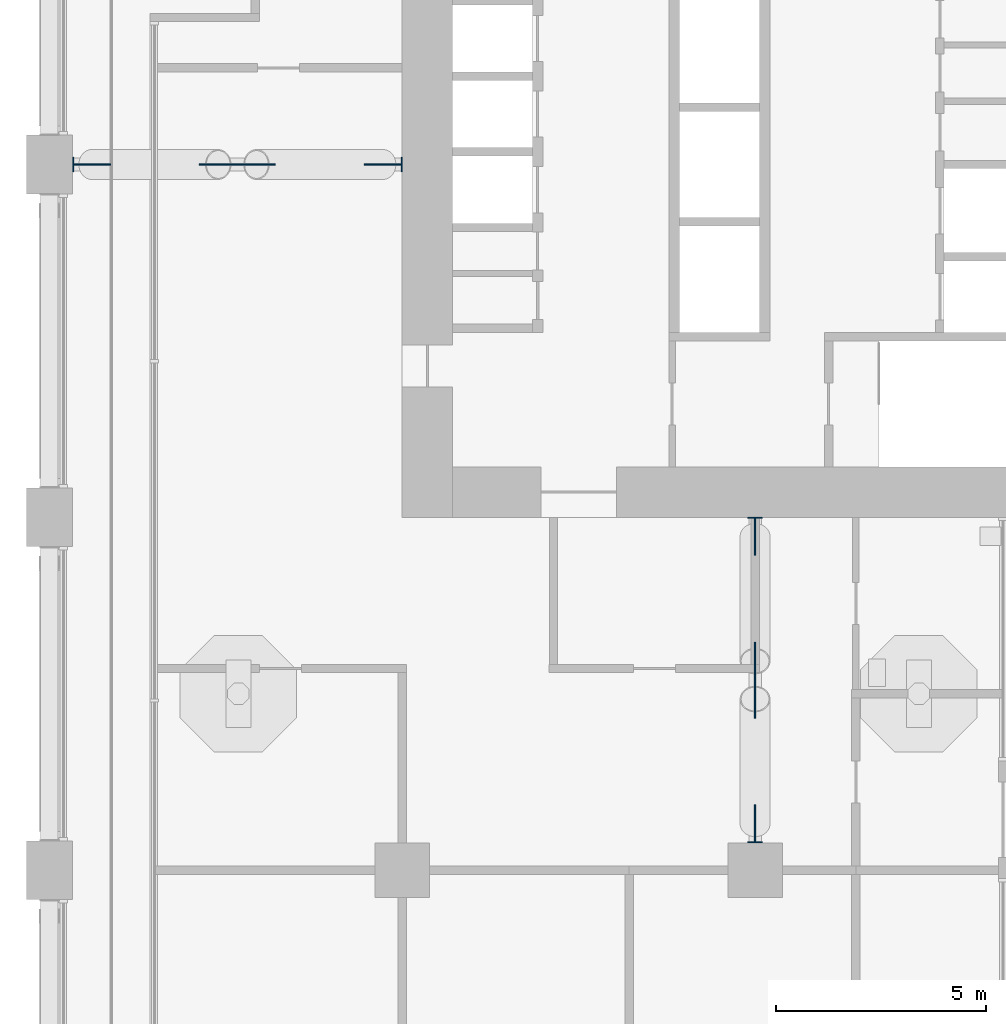
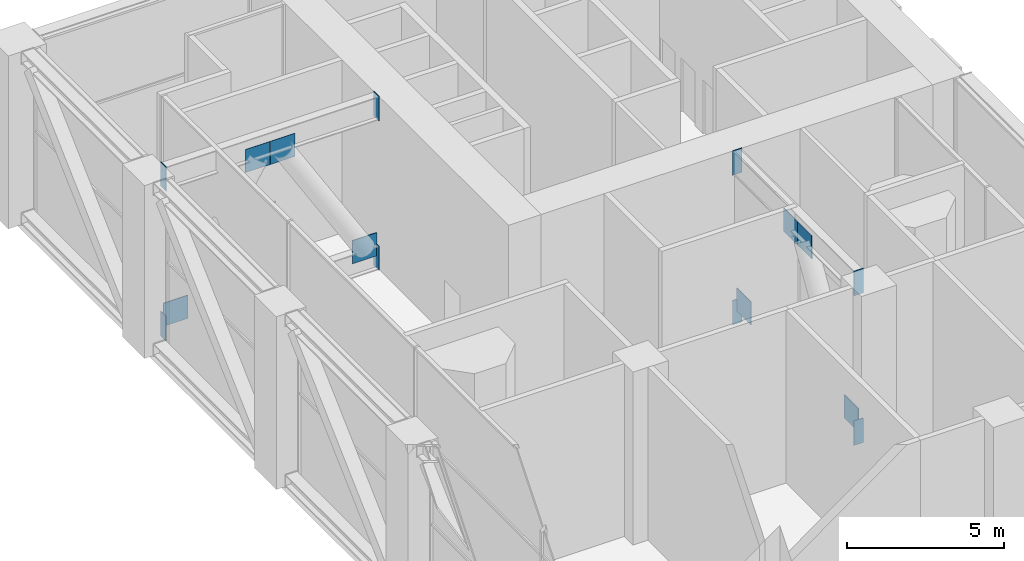
# One storey, part 17 of 28: 16 discrete accessories.
"""IFC4 building model written with IfcOpenShell, lengths in metres."""

import ifcopenshell
import ifcopenshell.guid

model = None  # the IFC model being written
_history = None  # IfcOwnerHistory: only IFC2X3 demands one
_inside = {}  # id of a spatial element -> (the spatial element, [elements in it])
_under = {}  # id of a project, library or spatial element -> (it, [spatial elements below it])
_declared = {}  # id of a project -> (the project, [libraries it declares])
_typed = {}  # id of a type object -> (the type object, [elements of that type])
_made_of = {}  # id of a material, layer set ... -> (it, [elements and type objects made of it])


def new_model(schema):
    """Start an empty IFC model of exactly this schema.

    Asked for "IFC4X3", IfcOpenShell would pick the latest addendum, in which some entities
    have other attributes; the version numbers below select the first issue.
    IFC2X3 requires an IfcOwnerHistory on every rooted entity: one is made here for all.
    """
    global model, _history
    if schema == "IFC4X3":
        model = ifcopenshell.file(schema_version=(4, 3, 0, 0))
    else:
        model = ifcopenshell.file(schema=schema)
    _inside.clear()
    _under.clear()
    _declared.clear()
    _typed.clear()
    _made_of.clear()
    _history = None
    if model.schema == "IFC2X3":
        org = make("IfcOrganization", Name="unknown")
        user = make(
            "IfcPersonAndOrganization",
            ThePerson=make("IfcPerson", FamilyName="unknown"),
            TheOrganization=org,
        )
        app = make(
            "IfcApplication",
            ApplicationDeveloper=org,
            Version="unknown",
            ApplicationFullName="unknown",
            ApplicationIdentifier="unknown",
        )
        _history = make(
            "IfcOwnerHistory",
            OwningUser=user,
            OwningApplication=app,
            ChangeAction="ADDED",
            CreationDate=0,
        )
    return model


def make(cls, **values):
    """One entity of the class cls with the attributes given. An attribute that is None is left unset."""
    return model.create_entity(
        cls, **{name: value for name, value in values.items() if value is not None}
    )


def rooted(cls, **values):
    """An entity with a GlobalId (a new one), such as an element, a storey or a relation."""
    return make(cls, GlobalId=ifcopenshell.guid.new(), OwnerHistory=_history, **values)


def si_unit(unit_type, name, prefix=None):
    """IfcSIUnit, for example si_unit("LENGTHUNIT", "METRE", prefix="MILLI")."""
    return make("IfcSIUnit", UnitType=unit_type, Prefix=prefix, Name=name)


def assignment(units):
    """IfcUnitAssignment: the units of a project."""
    return None if units is None else make("IfcUnitAssignment", Units=units)


def point(xyz):
    """IfcCartesianPoint."""
    return None if xyz is None else make("IfcCartesianPoint", Coordinates=xyz)


def direction(xyz):
    """IfcDirection."""
    return None if xyz is None else make("IfcDirection", DirectionRatios=xyz)


def frame(location, z_axis=None, x_axis=None):
    """IfcAxis2Placement3D, a coordinate frame: its origin and axes. An axis left out is left unset."""
    return make(
        "IfcAxis2Placement3D",
        Location=point(location),
        Axis=direction(z_axis),
        RefDirection=direction(x_axis),
    )


def frame_2d(location, x_axis=None):
    """IfcAxis2Placement2D, a coordinate frame in the plane: its origin and x axis."""
    return make(
        "IfcAxis2Placement2D", Location=point(location), RefDirection=direction(x_axis)
    )


def origin():
    """The frame at (0, 0, 0) with its axes left unset."""
    return frame((0.0, 0.0, 0.0))


def origin_2d():
    """The frame at (0, 0) in the plane with its x axis left unset."""
    return frame_2d((0.0, 0.0))


def place(relative_to, where):
    """IfcLocalPlacement: puts the frame where relative to a parent placement (None: the world)."""
    return make(
        "IfcLocalPlacement", PlacementRelTo=relative_to, RelativePlacement=where
    )


def context(
    kind, dimensions, precision=None, world=None, true_north=None, identifier=None
):
    """IfcGeometricRepresentationContext, for example the 3D "Model" context."""
    return make(
        "IfcGeometricRepresentationContext",
        ContextIdentifier=identifier,
        ContextType=kind,
        CoordinateSpaceDimension=dimensions,
        Precision=precision,
        WorldCoordinateSystem=world,
        TrueNorth=true_north,
    )


def subcontext(parent, identifier, kind, view, scale=None):
    """IfcGeometricRepresentationSubContext, for example "Body" below "Model"."""
    return make(
        "IfcGeometricRepresentationSubContext",
        ContextIdentifier=identifier,
        ContextType=kind,
        ParentContext=parent,
        TargetScale=scale,
        TargetView=view,
    )


def project(units=None, contexts=None):
    """IfcProject with its units and contexts."""
    return rooted(
        "IfcProject",
        Name="project",
        RepresentationContexts=contexts,
        UnitsInContext=assignment(units),
    )


def spatial(cls, under=None, at=None, **own):
    """A site, building, storey or space (cls), placed at a placement, below another one or the project."""
    s = rooted(cls, ObjectPlacement=at, **own)
    if under is not None:
        _under.setdefault(under.id(), (under, []))[1].append(s)
    return s


def profile(cls, at=None, kind="AREA", **sizes):
    """A parametric profile (cls). Its sizes go by their IFC names, for example OverallWidth=200.0."""
    return make(cls, ProfileType=kind, Position=at, **sizes)


def rectangle(**sizes):
    """IfcRectangleProfileDef."""
    return profile("IfcRectangleProfileDef", **sizes)


def extrude(swept, where, along, depth):
    """IfcExtrudedAreaSolid: the profile swept, set in the frame where, extruded along a direction by depth."""
    return make(
        "IfcExtrudedAreaSolid",
        SweptArea=swept,
        Position=where,
        ExtrudedDirection=direction(along),
        Depth=depth,
    )


def shape(context_of_items, identifier, shape_type, items):
    """IfcShapeRepresentation: the items that make up one representation, for example the "Body"."""
    return make(
        "IfcShapeRepresentation",
        ContextOfItems=context_of_items,
        RepresentationIdentifier=identifier,
        RepresentationType=shape_type,
        Items=items,
    )


def made_of(thing, what):
    """Note that an element or type object is made of a material, layer set ...; save() writes the relation."""
    if what is not None:
        _made_of.setdefault(what.id(), (what, []))[1].append(thing)
    return thing


def element(
    cls,
    number,
    at=None,
    inside=None,
    cuts=None,
    type_object=None,
    material=None,
    context=None,
    identifier="Body",
    shape_type=None,
    held_by="IfcProductDefinitionShape",
    body=None,
    shapes=None,
    **own,
):
    """One element of the class cls, such as IfcWall. Its Tag is "e" and its number.

    at: its placement. inside: the storey or other place that contains it. cuts: it is an
    opening in that element (IfcRelVoidsElement). A single representation is given by context,
    identifier, shape_type and body (its items); several are given by shapes. held_by: the class
    of the entity that holds the representations. save() writes the other relations.
    """
    e = rooted(cls, Tag="e%d" % number, ObjectPlacement=at, **own)
    if body is not None:
        shapes = [shape(context, identifier, shape_type, body)]
    if shapes is not None:
        e.Representation = make(held_by, Representations=shapes)
    if inside is not None:
        _inside.setdefault(inside.id(), (inside, []))[1].append(e)
    if cuts is not None:
        rooted(
            "IfcRelVoidsElement", RelatingBuildingElement=cuts, RelatedOpeningElement=e
        )
    if type_object is not None:
        _typed.setdefault(type_object.id(), (type_object, []))[1].append(e)
    return made_of(e, material)


def aggregate(whole, parts):
    """IfcRelAggregates: a whole, such as a stair, and the parts it consists of."""
    return rooted("IfcRelAggregates", RelatingObject=whole, RelatedObjects=parts)


def save(model, path):
    """Write the relations noted so far, then the file.

    IfcRelAggregates (storeys below a building ...), IfcRelContainedInSpatialStructure (elements
    in a storey), IfcRelDefinesByType, IfcRelAssociatesMaterial and IfcRelDeclares: one each for
    every whole, place, type object, material and project.
    """
    for whole, parts in _under.values():
        aggregate(whole, parts)
    for where, things in _inside.values():
        rooted(
            "IfcRelContainedInSpatialStructure",
            RelatedElements=things,
            RelatingStructure=where,
        )
    for kind, things in _typed.values():
        rooted("IfcRelDefinesByType", RelatedObjects=things, RelatingType=kind)
    for what, things in _made_of.values():
        rooted("IfcRelAssociatesMaterial", RelatedObjects=things, RelatingMaterial=what)
    for by, libraries in _declared.values():
        rooted("IfcRelDeclares", RelatingContext=by, RelatedDefinitions=libraries)
    model.write(path)


model = new_model("IFC4")

# Units and contexts
model_context = context("Model", 3, precision=1e-05, world=origin(), true_north=direction((0.0, 1.0)))
body_context = subcontext(model_context, "Body", "Model", "MODEL_VIEW")
ifc_project = project(units=[si_unit("LENGTHUNIT", "METRE"), si_unit("AREAUNIT", "SQUARE_METRE"), si_unit("VOLUMEUNIT", "CUBIC_METRE"), si_unit("PLANEANGLEUNIT", "RADIAN"), si_unit("MASSUNIT", "GRAM", prefix="KILO")], contexts=[model_context])

# Site, building, storey
site_placement = place(None, origin())
site = spatial("IfcSite", under=ifc_project, at=site_placement, CompositionType="ELEMENT")
building_placement = place(site_placement, origin())
building = spatial("IfcBuilding", under=site, at=building_placement, Name="Vermilion Gate Residences", CompositionType="ELEMENT")
storey_placement = place(building_placement, frame((0.0, 0.0, 74.199951171875)))
storey = spatial("IfcBuildingStorey", under=building, at=storey_placement, Name="L18", CompositionType="ELEMENT", Elevation=74.199951171875)

# Discrete accessories
for number, where, z_axis, x_axis, name in (
    (1, (8.387451171875, 50.39990234375, -0.02490234375), (0.0, 0.0, 1.0), (1.0, 0.0, 0.0), "End plate O18OUT3B 1"),
    (2, (0.5625, 50.39990234375, -0.02490234375), (0.0, 0.0, 1.0), (1.0, 0.0, 0.0), "End plate O18OUT3B 2"),
    (3, (8.387451171875, 50.39990234375, 5.794921875), (0.0, 0.0, 1.0), (1.0, 0.0, 0.0), "End plate O18OUT3T 1"),
    (4, (0.5625, 50.39990234375, 5.794921875), (0.0, 0.0, 1.0), (1.0, 0.0, 0.0), "End plate O18OUT3T 2"),
):
    element("IfcDiscreteAccessory", number, at=place(storey_placement, frame(where, z_axis=z_axis, x_axis=x_axis)), inside=storey, Name=name, ObjectType="END PLATE", PredefinedType="USERDEFINED", context=body_context, shape_type="SweptSolid", body=[
        extrude(rectangle(XDim=0.02490234375, YDim=0.35009765625, at=origin_2d()), origin(), (0.0, 0.0, 1.0), 0.949951171875),
    ])
for number, where, z_axis, x_axis, name in (
    (5, (7.945068359375, 50.39990234375, 0.4501953125), (0.0, 0.0, 1.0), (1.0, 0.0, 0.0), "Gusset plate O18OUT3D1 1"),
    (6, (4.929931640625, 50.39990234375, 5.3701171875), (0.0, 0.0, 1.0), (1.0, 0.0, 0.0), "Gusset plate O18OUT3D1 2"),
    (7, (4.02001953125, 50.39990234375, 5.3701171875), (0.0, 0.0, 1.0), (1.0, 0.0, 0.0), "Gusset plate O18OUT3D2 1"),
    (8, (1.0048828125, 50.39990234375, 0.4501953125), (0.0, 0.0, 1.0), (1.0, 0.0, 0.0), "Gusset plate O18OUT3D2 2"),
):
    element("IfcDiscreteAccessory", number, at=place(storey_placement, frame(where, z_axis=z_axis, x_axis=x_axis)), inside=storey, Name=name, ObjectType="GUSSET PLATE", PredefinedType="USERDEFINED", context=body_context, shape_type="SweptSolid", body=[
        extrude(rectangle(XDim=0.89990234375, YDim=0.030029296875, at=origin_2d()), origin(), (0.0, 0.0, 1.0), 0.89990234375),
    ])
for number, where, z_axis, x_axis, name in (
    (9, (16.800048828125, 41.987548828125, -0.02490234375), (0.0, 0.0, 1.0), (1.0, 0.0, 0.0), "End plate O18OUT4B 1"),
    (10, (16.800048828125, 34.262451171875, -0.02490234375), (0.0, 0.0, 1.0), (1.0, 0.0, 0.0), "End plate O18OUT4B 2"),
    (11, (16.800048828125, 41.987548828125, 5.794921875), (0.0, 0.0, 1.0), (1.0, 0.0, 0.0), "End plate O18OUT4T 1"),
    (12, (16.800048828125, 34.262451171875, 5.794921875), (0.0, 0.0, 1.0), (1.0, 0.0, 0.0), "End plate O18OUT4T 2"),
):
    element("IfcDiscreteAccessory", number, at=place(storey_placement, frame(where, z_axis=z_axis, x_axis=x_axis)), inside=storey, Name=name, ObjectType="END PLATE", PredefinedType="USERDEFINED", context=body_context, shape_type="SweptSolid", body=[
        extrude(rectangle(XDim=0.35009765625, YDim=0.02490234375, at=origin_2d()), origin(), (0.0, 0.0, 1.0), 0.949951171875),
    ])
for number, where, z_axis, x_axis, name in (
    (13, (16.800048828125, 41.54736328125, 0.4501953125), (0.0, 0.0, 1.0), (1.0, 0.0, 0.0), "Gusset plate O18OUT4D1 1"),
    (14, (16.800048828125, 38.57763671875, 5.3701171875), (0.0, 0.0, 1.0), (1.0, 0.0, 0.0), "Gusset plate O18OUT4D1 2"),
    (15, (16.800048828125, 37.67236328125, 5.3701171875), (0.0, 0.0, 1.0), (1.0, 0.0, 0.0), "Gusset plate O18OUT4D2 1"),
    (16, (16.800048828125, 34.70263671875, 0.4501953125), (0.0, 0.0, 1.0), (1.0, 0.0, 0.0), "Gusset plate O18OUT4D2 2"),
):
    element("IfcDiscreteAccessory", number, at=place(storey_placement, frame(where, z_axis=z_axis, x_axis=x_axis)), inside=storey, Name=name, ObjectType="GUSSET PLATE", PredefinedType="USERDEFINED", context=body_context, shape_type="SweptSolid", body=[
        extrude(rectangle(XDim=0.030029296875, YDim=0.89990234375, at=origin_2d()), origin(), (0.0, 0.0, 1.0), 0.89990234375),
    ])

save(model, "model.ifc")
